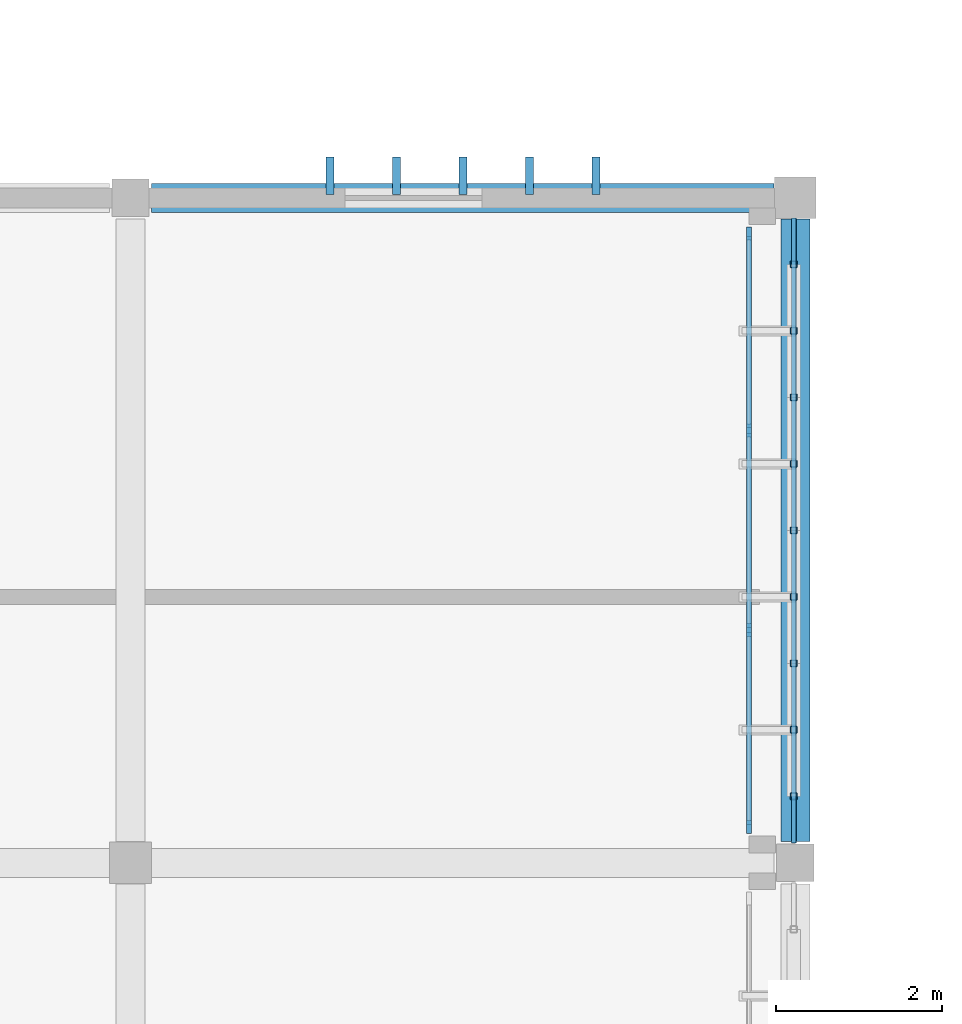
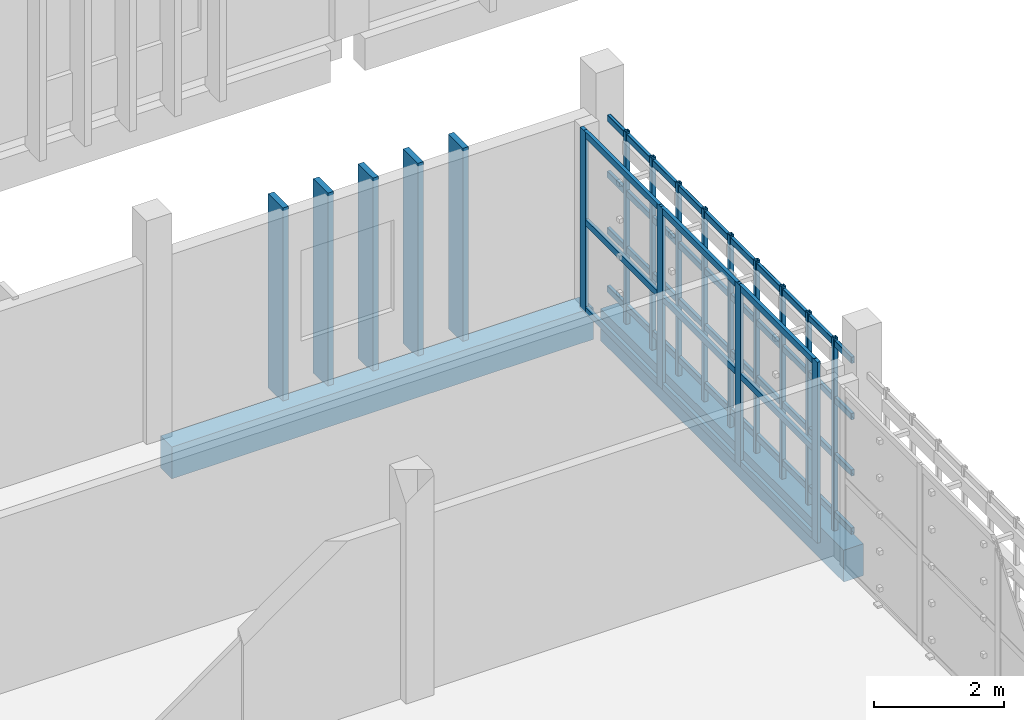
# One storey, part 13 of 48: 31 members, 2 beams, 1 element without a shape of its own.
"""IFC4 building model written with IfcOpenShell, lengths in metres."""

from ifc_helpers import new_model, si_unit, direction, frame, origin, origin_2d, place, context, subcontext, project, spatial, rectangle, hollow_rectangle, extrude, material, layer, layer_set, material_profile, profile_set, type_object, element, aggregate, save


model = new_model("IFC4")

# Units and contexts
model_context = context("Model", 3, precision=1e-05, world=origin(), true_north=direction((0.0, 1.0)))
body_context = subcontext(model_context, "Body", "Model", "MODEL_VIEW")
ifc_project = project(units=[si_unit("LENGTHUNIT", "METRE"), si_unit("AREAUNIT", "SQUARE_METRE"), si_unit("VOLUMEUNIT", "CUBIC_METRE"), si_unit("PLANEANGLEUNIT", "RADIAN"), si_unit("MASSUNIT", "GRAM", prefix="KILO")], contexts=[model_context])

# Site, building, storey
site_placement = place(None, origin())
site = spatial("IfcSite", under=ifc_project, at=site_placement, CompositionType="ELEMENT")
building_placement = place(site_placement, origin())
building = spatial("IfcBuilding", under=site, at=building_placement, Name="Jelvoka-Kovrelna Polytechnic", CompositionType="ELEMENT")
storey_placement = place(building_placement, frame((0.0, 0.0, 22.199951171875)))
storey = spatial("IfcBuildingStorey", under=building, at=storey_placement, Name="L06", CompositionType="ELEMENT", Elevation=22.199951171875)

# Beam
ifc_material_1 = material(Name="Concrete C35/45", Category="concrete")
ifc_material_profile_1 = material_profile(ifc_material_1, rectangle(XDim=0.35009765625, YDim=0.60009765625, at=origin_2d()), Name="RC 350x600")
ifc_profile_set_1 = profile_set([ifc_material_profile_1], Name="Concrete C35/45")
beam_type_1 = type_object("IfcBeamType", Name="Beam_RC_350x600", PredefinedType="BEAM", material=ifc_profile_set_1)
beam_1_placement = place(storey_placement, frame((112.0, 40.2548828125, -0.5400390625), z_axis=(0.0, 1.0, 0.0), x_axis=(-1.0, 0.0, 0.0)))
element("IfcBeam", 1, at=beam_1_placement, inside=storey, type_object=beam_type_1, Name="L06 beam 1651", PredefinedType="BEAM", context=body_context, shape_type="SweptSolid", body=[
    extrude(rectangle(XDim=0.35009765625, YDim=0.60009765625, at=origin_2d()), origin(), (0.0, 0.0, 1.0), 7.490234375),
])

# Members
ifc_material_2 = material(Name="Precast concrete C40/50", Category="concrete")
ifc_material_profile_2 = material_profile(ifc_material_2, rectangle(XDim=0.10009765625, YDim=0.449951171875, at=origin_2d()), Name="PC 100x450")
ifc_profile_set_2 = profile_set([ifc_material_profile_2], Name="Precast concrete C40/50")
member_type_1 = type_object("IfcMemberType", Name="Louvre_Fin_100x450", PredefinedType="USERDEFINED", material=ifc_profile_set_2)
for number, where, z_axis, x_axis, name in (
    (2, (106.39990234375, 48.264892578125, -0.27001953125), (0.0, 0.0, 1.0), (1.0, 0.0, 0.0), "L06 B2W north vertical solar louvre fin 0861"),
    (3, (107.199951171875, 48.264892578125, -0.27001953125), (0.0, 0.0, 1.0), (1.0, 0.0, 0.0), "L06 B2W north vertical solar louvre fin 0862"),
    (4, (108.0, 48.264892578125, -0.27001953125), (0.0, 0.0, 1.0), (1.0, 0.0, 0.0), "L06 B2W north vertical solar louvre fin 0863"),
    (5, (108.800048828125, 48.264892578125, -0.27001953125), (0.0, 0.0, 1.0), (1.0, 0.0, 0.0), "L06 B2W north vertical solar louvre fin 0864"),
    (6, (109.60009765625, 48.264892578125, -0.27001953125), (0.0, 0.0, 1.0), (1.0, 0.0, 0.0), "L06 B2W north vertical solar louvre fin 0865"),
):
    element("IfcMember", number, at=place(storey_placement, frame(where, z_axis=z_axis, x_axis=x_axis)), inside=storey, type_object=member_type_1, Name=name, ObjectType="SUNSHADE", PredefinedType="USERDEFINED", context=body_context, shape_type="SweptSolid", body=[
        extrude(rectangle(XDim=0.10009765625, YDim=0.449951171875, at=origin_2d()), origin(), (0.0, 0.0, 1.0), 3.655029296875),
    ])
ifc_material_3 = material(Name="Structural steel S355J2H", Category="steel")
ifc_material_profile_3 = material_profile(ifc_material_3, hollow_rectangle(XDim=0.06005859375, YDim=0.1201171875, WallThickness=0.0048828125, InnerFilletRadius=0.0048828125, OuterFilletRadius=0.007568359375, at=origin_2d()), Name="120x60x5.0 RHS")
ifc_profile_set_3 = profile_set([ifc_material_profile_3], Name="Structural steel S355J2H")
member_type_2 = type_object("IfcMemberType", Name="Member_Strut_RHS120", PredefinedType="STRUT", material=ifc_profile_set_3)
for number, where, z_axis, x_axis, name in (
    (7, (111.97998046875, 40.239990234375, 0.080078125), (0.0, 1.0, 0.0), (-1.0, 0.0, 0.0), "L06 terracotta screen horizontal strut 0261"),
    (8, (111.97998046875, 40.239990234375, 1.17138671875), (0.0, 1.0, 0.0), (-1.0, 0.0, 0.0), "L06 terracotta screen horizontal strut 0262"),
    (9, (111.97998046875, 40.239990234375, 2.230712890625), (0.0, 1.0, 0.0), (-1.0, 0.0, 0.0), "L06 terracotta screen horizontal strut 0263"),
    (10, (111.97998046875, 40.239990234375, 3.2900390625), (0.0, 1.0, 0.0), (-1.0, 0.0, 0.0), "L06 terracotta screen horizontal strut 0264"),
):
    element("IfcMember", number, at=place(storey_placement, frame(where, z_axis=z_axis, x_axis=x_axis)), inside=storey, type_object=member_type_2, Name=name, PredefinedType="STRUT", context=body_context, shape_type="SweptSolid", body=[
        extrude(hollow_rectangle(XDim=0.06005859375, YDim=0.1201171875, WallThickness=0.0048828125, InnerFilletRadius=0.0048828125, OuterFilletRadius=0.007568359375, at=origin_2d()), origin(), (0.0, 0.0, 1.0), 7.52001953125),
    ])
ifc_material_4 = material(Name="Structural steel S355J2H", Category="steel")
ifc_material_profile_4 = material_profile(ifc_material_4, hollow_rectangle(XDim=0.080078125, YDim=0.080078125, WallThickness=0.0048828125, InnerFilletRadius=0.0048828125, OuterFilletRadius=0.007568359375, at=origin_2d()), Name="80x80x5.0 SHS")
ifc_profile_set_4 = profile_set([ifc_material_profile_4], Name="Structural steel S355J2H")
member_type_3 = type_object("IfcMemberType", Name="Member_Strut_SHS80", PredefinedType="STRUT", material=ifc_profile_set_4)
for number, where, z_axis, x_axis, name in (
    (11, (111.97998046875, 40.800048828125, -0.22998046875), (0.0, 0.0, 1.0), (1.0, 0.0, 0.0), "L06 terracotta lattice vertical rib 0265"),
    (12, (111.97998046875, 41.60009765625, -0.22998046875), (0.0, 0.0, 1.0), (1.0, 0.0, 0.0), "L06 terracotta lattice vertical rib 0266"),
    (13, (111.97998046875, 42.39990234375, -0.22998046875), (0.0, 0.0, 1.0), (1.0, 0.0, 0.0), "L06 terracotta lattice vertical rib 0267"),
    (14, (111.97998046875, 43.199951171875, -0.22998046875), (0.0, 0.0, 1.0), (1.0, 0.0, 0.0), "L06 terracotta lattice vertical rib 0268"),
    (15, (111.97998046875, 44.0, -0.22998046875), (0.0, 0.0, 1.0), (1.0, 0.0, 0.0), "L06 terracotta lattice vertical rib 0269"),
    (16, (111.97998046875, 44.800048828125, -0.22998046875), (0.0, 0.0, 1.0), (1.0, 0.0, 0.0), "L06 terracotta lattice vertical rib 0270"),
    (17, (111.97998046875, 45.60009765625, -0.22998046875), (0.0, 0.0, 1.0), (1.0, 0.0, 0.0), "L06 terracotta lattice vertical rib 0271"),
    (18, (111.97998046875, 46.39990234375, -0.22998046875), (0.0, 0.0, 1.0), (1.0, 0.0, 0.0), "L06 terracotta lattice vertical rib 0272"),
    (19, (111.97998046875, 47.199951171875, -0.22998046875), (0.0, 0.0, 1.0), (1.0, 0.0, 0.0), "L06 terracotta lattice vertical rib 0273"),
):
    element("IfcMember", number, at=place(storey_placement, frame(where, z_axis=z_axis, x_axis=x_axis)), inside=storey, type_object=member_type_3, Name=name, PredefinedType="STRUT", context=body_context, shape_type="SweptSolid", body=[
        extrude(hollow_rectangle(XDim=0.080078125, YDim=0.080078125, WallThickness=0.0048828125, InnerFilletRadius=0.0048828125, OuterFilletRadius=0.007568359375, at=origin_2d()), origin(), (0.0, 0.0, 1.0), 3.610107421875),
    ])

# Curtain wall, members
ifc_material_5 = material(Name="Anodised aluminium 6063-T6", Category="aluminium")
ifc_layer = layer(ifc_material_5, 0.159912109375)
ifc_layer_set = layer_set([ifc_layer], Name="Anodised aluminium 6063-T6")
curtain_wall_type = type_object("IfcCurtainWallType", Name="CW_Recessed_A", PredefinedType="NOTDEFINED", material=ifc_layer_set)
curtain_wall_placement = place(storey_placement, origin())
curtain_wall = element("IfcCurtainWall", 20, at=curtain_wall_placement, inside=storey, type_object=curtain_wall_type, Name="L06 glazed curtain wall 037", PredefinedType="NOTDEFINED")
ifc_material_6 = material(Name="Anodised aluminium 6063-T6", Category="aluminium")
ifc_material_profile_5 = material_profile(ifc_material_6, rectangle(XDim=0.06005859375, YDim=0.159912109375, at=origin_2d()), Name="ALU 60x160")
ifc_profile_set_5 = profile_set([ifc_material_profile_5], Name="Anodised aluminium 6063-T6")
member_type_4 = type_object("IfcMemberType", Name="Mullion_M-01", PredefinedType="MULLION", material=ifc_profile_set_5)
member_1_placement = place(storey_placement, frame((111.43994140625, 47.570068359375, -0.02490234375), z_axis=(0.0, 0.0, 1.0), x_axis=(1.0, 0.0, 0.0)))
member_1 = element("IfcMember", 21, at=member_1_placement, type_object=member_type_4, Name="CW-01 mullion 1", PredefinedType="MULLION", context=body_context, shape_type="SweptSolid", body=[
    extrude(rectangle(XDim=0.06005859375, YDim=0.159912109375, at=origin_2d()), origin(), (0.0, 0.0, 1.0), 3.400146484375),
])
member_2_placement = place(storey_placement, frame((111.43994140625, 45.199951171875, -0.02490234375), z_axis=(0.0, 0.0, 1.0), x_axis=(1.0, 0.0, 0.0)))
member_2 = element("IfcMember", 22, at=member_2_placement, type_object=member_type_4, Name="CW-01 mullion 2", PredefinedType="MULLION", context=body_context, shape_type="SweptSolid", body=[
    extrude(rectangle(XDim=0.06005859375, YDim=0.159912109375, at=origin_2d()), origin(), (0.0, 0.0, 1.0), 3.400146484375),
])
member_3_placement = place(storey_placement, frame((111.43994140625, 42.800048828125, -0.02490234375), z_axis=(0.0, 0.0, 1.0), x_axis=(1.0, 0.0, 0.0)))
member_3 = element("IfcMember", 23, at=member_3_placement, type_object=member_type_4, Name="CW-01 mullion 3", PredefinedType="MULLION", context=body_context, shape_type="SweptSolid", body=[
    extrude(rectangle(XDim=0.06005859375, YDim=0.159912109375, at=origin_2d()), origin(), (0.0, 0.0, 1.0), 3.400146484375),
])
member_4_placement = place(storey_placement, frame((111.43994140625, 40.429931640625, -0.02490234375), z_axis=(0.0, 0.0, 1.0), x_axis=(1.0, 0.0, 0.0)))
member_4 = element("IfcMember", 24, at=member_4_placement, type_object=member_type_4, Name="CW-01 mullion 4", PredefinedType="MULLION", context=body_context, shape_type="SweptSolid", body=[
    extrude(rectangle(XDim=0.06005859375, YDim=0.159912109375, at=origin_2d()), origin(), (0.0, 0.0, 1.0), 3.400146484375),
])

# Beam
ifc_material_7 = material(Name="Concrete C40/50", Category="concrete")
ifc_material_profile_6 = material_profile(ifc_material_7, rectangle(XDim=0.35009765625, YDim=0.60009765625, at=origin_2d()), Name="RC 350x600")
ifc_profile_set_6 = profile_set([ifc_material_profile_6], Name="Concrete C40/50")
beam_type_2 = type_object("IfcBeamType", Name="Spandrel_RC_350x600", PredefinedType="SPANDREL", material=ifc_profile_set_6)
beam_2_placement = place(storey_placement, frame((104.2548828125, 48.0, -0.5400390625), z_axis=(1.0, 0.0, 0.0), x_axis=(0.0, 1.0, 0.0)))
element("IfcBeam", 25, at=beam_2_placement, inside=storey, type_object=beam_type_2, Name="L06 beam 1637", PredefinedType="SPANDREL", context=body_context, shape_type="SweptSolid", body=[
    extrude(rectangle(XDim=0.35009765625, YDim=0.60009765625, at=origin_2d()), origin(), (0.0, 0.0, 1.0), 7.490234375),
])

# Member
ifc_material_8 = material(Name="Anodised aluminium 6063-T6", Category="aluminium")
ifc_material_profile_7 = material_profile(ifc_material_8, rectangle(XDim=0.06005859375, YDim=0.1201171875, at=origin_2d()), Name="ALU 60x120")
ifc_profile_set_7 = profile_set([ifc_material_profile_7], Name="Anodised aluminium 6063-T6")
member_type_5 = type_object("IfcMemberType", Name="Transom_T-01", PredefinedType="USERDEFINED", material=ifc_profile_set_7)
member_5_placement = place(storey_placement, frame((111.43994140625, 47.5400390625, 0.030029296875), z_axis=(0.0, -1.0, 0.0), x_axis=(1.0, 0.0, 0.0)))
member_5 = element("IfcMember", 26, at=member_5_placement, type_object=member_type_5, Name="CW-01 transom 1.1", ObjectType="TRANSOM", PredefinedType="USERDEFINED", context=body_context, shape_type="SweptSolid", body=[
    extrude(rectangle(XDim=0.06005859375, YDim=0.1201171875, at=origin_2d()), origin(), (0.0, 0.0, 1.0), 2.31005859375),
])

member_6_placement = place(storey_placement, frame((111.43994140625, 47.5400390625, 1.675048828125), z_axis=(0.0, -1.0, 0.0), x_axis=(1.0, 0.0, 0.0)))
member_6 = element("IfcMember", 27, at=member_6_placement, type_object=member_type_5, Name="CW-01 transom 1.2", ObjectType="TRANSOM", PredefinedType="USERDEFINED", context=body_context, shape_type="SweptSolid", body=[
    extrude(rectangle(XDim=0.06005859375, YDim=0.1201171875, at=origin_2d()), origin(), (0.0, 0.0, 1.0), 2.31005859375),
])

member_7_placement = place(storey_placement, frame((111.43994140625, 47.5400390625, 3.320068359375), z_axis=(0.0, -1.0, 0.0), x_axis=(1.0, 0.0, 0.0)))
member_7 = element("IfcMember", 28, at=member_7_placement, type_object=member_type_5, Name="CW-01 transom 1.3", ObjectType="TRANSOM", PredefinedType="USERDEFINED", context=body_context, shape_type="SweptSolid", body=[
    extrude(rectangle(XDim=0.06005859375, YDim=0.1201171875, at=origin_2d()), origin(), (0.0, 0.0, 1.0), 2.31005859375),
])

member_8_placement = place(storey_placement, frame((111.43994140625, 45.169921875, 0.030029296875), z_axis=(0.0, -1.0, 0.0), x_axis=(1.0, 0.0, 0.0)))
member_8 = element("IfcMember", 29, at=member_8_placement, type_object=member_type_5, Name="CW-01 transom 2.1", ObjectType="TRANSOM", PredefinedType="USERDEFINED", context=body_context, shape_type="SweptSolid", body=[
    extrude(rectangle(XDim=0.06005859375, YDim=0.1201171875, at=origin_2d()), origin(), (0.0, 0.0, 1.0), 2.33984375),
])

member_9_placement = place(storey_placement, frame((111.43994140625, 45.169921875, 1.675048828125), z_axis=(0.0, -1.0, 0.0), x_axis=(1.0, 0.0, 0.0)))
member_9 = element("IfcMember", 30, at=member_9_placement, type_object=member_type_5, Name="CW-01 transom 2.2", ObjectType="TRANSOM", PredefinedType="USERDEFINED", context=body_context, shape_type="SweptSolid", body=[
    extrude(rectangle(XDim=0.06005859375, YDim=0.1201171875, at=origin_2d()), origin(), (0.0, 0.0, 1.0), 2.33984375),
])

member_10_placement = place(storey_placement, frame((111.43994140625, 45.169921875, 3.320068359375), z_axis=(0.0, -1.0, 0.0), x_axis=(1.0, 0.0, 0.0)))
member_10 = element("IfcMember", 31, at=member_10_placement, type_object=member_type_5, Name="CW-01 transom 2.3", ObjectType="TRANSOM", PredefinedType="USERDEFINED", context=body_context, shape_type="SweptSolid", body=[
    extrude(rectangle(XDim=0.06005859375, YDim=0.1201171875, at=origin_2d()), origin(), (0.0, 0.0, 1.0), 2.33984375),
])

member_11_placement = place(storey_placement, frame((111.43994140625, 42.77001953125, 0.030029296875), z_axis=(0.0, -1.0, 0.0), x_axis=(1.0, 0.0, 0.0)))
member_11 = element("IfcMember", 32, at=member_11_placement, type_object=member_type_5, Name="CW-01 transom 3.1", ObjectType="TRANSOM", PredefinedType="USERDEFINED", context=body_context, shape_type="SweptSolid", body=[
    extrude(rectangle(XDim=0.06005859375, YDim=0.1201171875, at=origin_2d()), origin(), (0.0, 0.0, 1.0), 2.31005859375),
])

member_12_placement = place(storey_placement, frame((111.43994140625, 42.77001953125, 1.675048828125), z_axis=(0.0, -1.0, 0.0), x_axis=(1.0, 0.0, 0.0)))
member_12 = element("IfcMember", 33, at=member_12_placement, type_object=member_type_5, Name="CW-01 transom 3.2", ObjectType="TRANSOM", PredefinedType="USERDEFINED", context=body_context, shape_type="SweptSolid", body=[
    extrude(rectangle(XDim=0.06005859375, YDim=0.1201171875, at=origin_2d()), origin(), (0.0, 0.0, 1.0), 2.31005859375),
])

member_13_placement = place(storey_placement, frame((111.43994140625, 42.77001953125, 3.320068359375), z_axis=(0.0, -1.0, 0.0), x_axis=(1.0, 0.0, 0.0)))
member_13 = element("IfcMember", 34, at=member_13_placement, type_object=member_type_5, Name="CW-01 transom 3.3", ObjectType="TRANSOM", PredefinedType="USERDEFINED", context=body_context, shape_type="SweptSolid", body=[
    extrude(rectangle(XDim=0.06005859375, YDim=0.1201171875, at=origin_2d()), origin(), (0.0, 0.0, 1.0), 2.31005859375),
])

aggregate(curtain_wall, [member_1, member_2, member_3, member_4, member_5, member_6, member_7, member_8, member_9, member_10, member_11, member_12, member_13])

save(model, "model.ifc")
